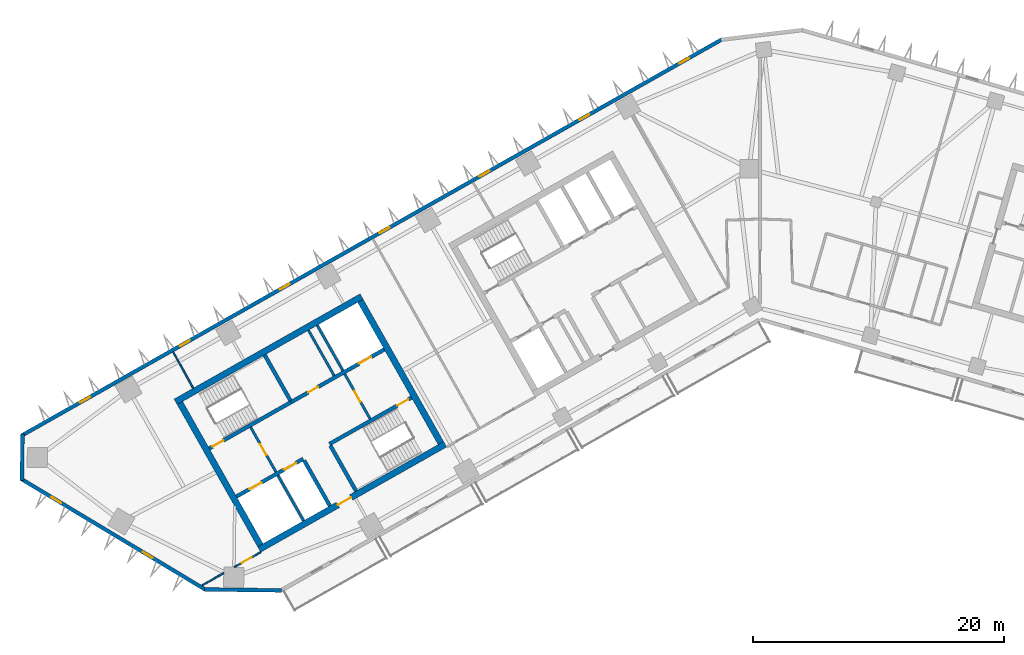
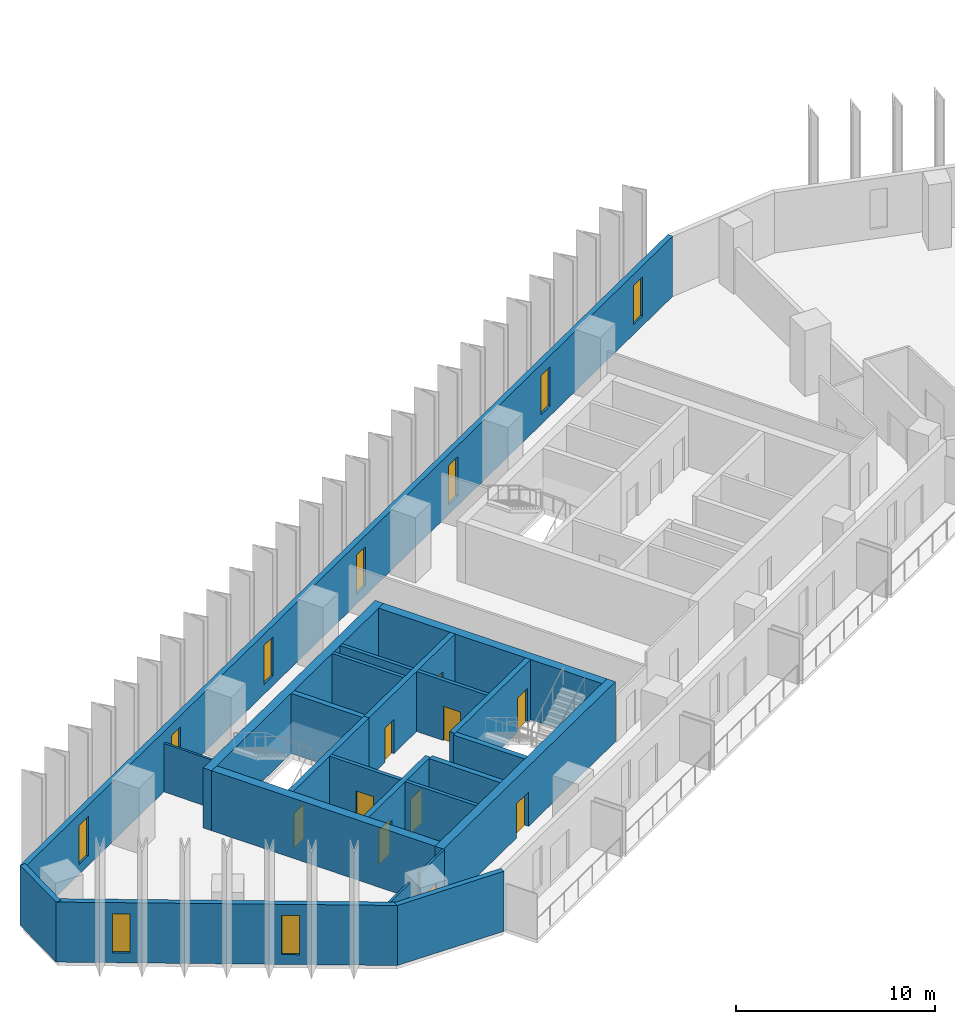
# One storey, part 3 of 10: 23 walls, 10 doors, 9 windows, 19 openings.
"""IFC4 building model written with IfcOpenShell, lengths in metres."""

import ifcopenshell
import ifcopenshell.guid

model = None  # the IFC model being written
_history = None  # IfcOwnerHistory: only IFC2X3 demands one
_inside = {}  # id of a spatial element -> (the spatial element, [elements in it])
_under = {}  # id of a project, library or spatial element -> (it, [spatial elements below it])
_declared = {}  # id of a project -> (the project, [libraries it declares])
_typed = {}  # id of a type object -> (the type object, [elements of that type])
_made_of = {}  # id of a material, layer set ... -> (it, [elements and type objects made of it])


def new_model(schema):
    """Start an empty IFC model of exactly this schema.

    Asked for "IFC4X3", IfcOpenShell would pick the latest addendum, in which some entities
    have other attributes; the version numbers below select the first issue.
    IFC2X3 requires an IfcOwnerHistory on every rooted entity: one is made here for all.
    """
    global model, _history
    if schema == "IFC4X3":
        model = ifcopenshell.file(schema_version=(4, 3, 0, 0))
    else:
        model = ifcopenshell.file(schema=schema)
    _inside.clear()
    _under.clear()
    _declared.clear()
    _typed.clear()
    _made_of.clear()
    _history = None
    if model.schema == "IFC2X3":
        org = make("IfcOrganization", Name="unknown")
        user = make(
            "IfcPersonAndOrganization",
            ThePerson=make("IfcPerson", FamilyName="unknown"),
            TheOrganization=org,
        )
        app = make(
            "IfcApplication",
            ApplicationDeveloper=org,
            Version="unknown",
            ApplicationFullName="unknown",
            ApplicationIdentifier="unknown",
        )
        _history = make(
            "IfcOwnerHistory",
            OwningUser=user,
            OwningApplication=app,
            ChangeAction="ADDED",
            CreationDate=0,
        )
    return model


def make(cls, **values):
    """One entity of the class cls with the attributes given. An attribute that is None is left unset."""
    return model.create_entity(
        cls, **{name: value for name, value in values.items() if value is not None}
    )


def rooted(cls, **values):
    """An entity with a GlobalId (a new one), such as an element, a storey or a relation."""
    return make(cls, GlobalId=ifcopenshell.guid.new(), OwnerHistory=_history, **values)


def si_unit(unit_type, name, prefix=None):
    """IfcSIUnit, for example si_unit("LENGTHUNIT", "METRE", prefix="MILLI")."""
    return make("IfcSIUnit", UnitType=unit_type, Prefix=prefix, Name=name)


def assignment(units):
    """IfcUnitAssignment: the units of a project."""
    return None if units is None else make("IfcUnitAssignment", Units=units)


def point(xyz):
    """IfcCartesianPoint."""
    return None if xyz is None else make("IfcCartesianPoint", Coordinates=xyz)


def direction(xyz):
    """IfcDirection."""
    return None if xyz is None else make("IfcDirection", DirectionRatios=xyz)


def frame(location, z_axis=None, x_axis=None):
    """IfcAxis2Placement3D, a coordinate frame: its origin and axes. An axis left out is left unset."""
    return make(
        "IfcAxis2Placement3D",
        Location=point(location),
        Axis=direction(z_axis),
        RefDirection=direction(x_axis),
    )


def frame_2d(location, x_axis=None):
    """IfcAxis2Placement2D, a coordinate frame in the plane: its origin and x axis."""
    return make(
        "IfcAxis2Placement2D", Location=point(location), RefDirection=direction(x_axis)
    )


def origin():
    """The frame at (0, 0, 0) with its axes left unset."""
    return frame((0.0, 0.0, 0.0))


def place(relative_to, where):
    """IfcLocalPlacement: puts the frame where relative to a parent placement (None: the world)."""
    return make(
        "IfcLocalPlacement", PlacementRelTo=relative_to, RelativePlacement=where
    )


def context(
    kind, dimensions, precision=None, world=None, true_north=None, identifier=None
):
    """IfcGeometricRepresentationContext, for example the 3D "Model" context."""
    return make(
        "IfcGeometricRepresentationContext",
        ContextIdentifier=identifier,
        ContextType=kind,
        CoordinateSpaceDimension=dimensions,
        Precision=precision,
        WorldCoordinateSystem=world,
        TrueNorth=true_north,
    )


def subcontext(parent, identifier, kind, view, scale=None):
    """IfcGeometricRepresentationSubContext, for example "Body" below "Model"."""
    return make(
        "IfcGeometricRepresentationSubContext",
        ContextIdentifier=identifier,
        ContextType=kind,
        ParentContext=parent,
        TargetScale=scale,
        TargetView=view,
    )


def project(units=None, contexts=None):
    """IfcProject with its units and contexts."""
    return rooted(
        "IfcProject",
        Name="project",
        RepresentationContexts=contexts,
        UnitsInContext=assignment(units),
    )


def spatial(cls, under=None, at=None, **own):
    """A site, building, storey or space (cls), placed at a placement, below another one or the project."""
    s = rooted(cls, ObjectPlacement=at, **own)
    if under is not None:
        _under.setdefault(under.id(), (under, []))[1].append(s)
    return s


def profile(cls, at=None, kind="AREA", **sizes):
    """A parametric profile (cls). Its sizes go by their IFC names, for example OverallWidth=200.0."""
    return make(cls, ProfileType=kind, Position=at, **sizes)


def rectangle(**sizes):
    """IfcRectangleProfileDef."""
    return profile("IfcRectangleProfileDef", **sizes)


def extrude(swept, where, along, depth):
    """IfcExtrudedAreaSolid: the profile swept, set in the frame where, extruded along a direction by depth."""
    return make(
        "IfcExtrudedAreaSolid",
        SweptArea=swept,
        Position=where,
        ExtrudedDirection=direction(along),
        Depth=depth,
    )


def shape(context_of_items, identifier, shape_type, items):
    """IfcShapeRepresentation: the items that make up one representation, for example the "Body"."""
    return make(
        "IfcShapeRepresentation",
        ContextOfItems=context_of_items,
        RepresentationIdentifier=identifier,
        RepresentationType=shape_type,
        Items=items,
    )


def material(Name=None, Category=None):
    """IfcMaterial."""
    return make("IfcMaterial", Name=Name, Category=Category)


def layer(
    of_material, thickness, ventilated=None, Name=None, Category=None, Priority=None
):
    """IfcMaterialLayer: one layer of a wall or slab, of a material (None: an air gap)."""
    return make(
        "IfcMaterialLayer",
        Material=of_material,
        LayerThickness=thickness,
        IsVentilated=ventilated,
        Name=Name,
        Category=Category,
        Priority=Priority,
    )


def layer_set(layers, Name=None):
    """IfcMaterialLayerSet."""
    return make("IfcMaterialLayerSet", MaterialLayers=layers, LayerSetName=Name)


def made_of(thing, what):
    """Note that an element or type object is made of a material, layer set ...; save() writes the relation."""
    if what is not None:
        _made_of.setdefault(what.id(), (what, []))[1].append(thing)
    return thing


def type_object(cls, material=None, **own):
    """A type object (cls), such as IfcWallType, which elements share."""
    return made_of(rooted(cls, **own), material)


def element(
    cls,
    number,
    at=None,
    inside=None,
    cuts=None,
    type_object=None,
    material=None,
    context=None,
    identifier="Body",
    shape_type=None,
    held_by="IfcProductDefinitionShape",
    body=None,
    shapes=None,
    **own,
):
    """One element of the class cls, such as IfcWall. Its Tag is "e" and its number.

    at: its placement. inside: the storey or other place that contains it. cuts: it is an
    opening in that element (IfcRelVoidsElement). A single representation is given by context,
    identifier, shape_type and body (its items); several are given by shapes. held_by: the class
    of the entity that holds the representations. save() writes the other relations.
    """
    e = rooted(cls, Tag="e%d" % number, ObjectPlacement=at, **own)
    if body is not None:
        shapes = [shape(context, identifier, shape_type, body)]
    if shapes is not None:
        e.Representation = make(held_by, Representations=shapes)
    if inside is not None:
        _inside.setdefault(inside.id(), (inside, []))[1].append(e)
    if cuts is not None:
        rooted(
            "IfcRelVoidsElement", RelatingBuildingElement=cuts, RelatedOpeningElement=e
        )
    if type_object is not None:
        _typed.setdefault(type_object.id(), (type_object, []))[1].append(e)
    return made_of(e, material)


def fill(opening, filler):
    """IfcRelFillsElement: the door or window that sits in an opening."""
    return rooted(
        "IfcRelFillsElement",
        RelatingOpeningElement=opening,
        RelatedBuildingElement=filler,
    )


def aggregate(whole, parts):
    """IfcRelAggregates: a whole, such as a stair, and the parts it consists of."""
    return rooted("IfcRelAggregates", RelatingObject=whole, RelatedObjects=parts)


def save(model, path):
    """Write the relations noted so far, then the file.

    IfcRelAggregates (storeys below a building ...), IfcRelContainedInSpatialStructure (elements
    in a storey), IfcRelDefinesByType, IfcRelAssociatesMaterial and IfcRelDeclares: one each for
    every whole, place, type object, material and project.
    """
    for whole, parts in _under.values():
        aggregate(whole, parts)
    for where, things in _inside.values():
        rooted(
            "IfcRelContainedInSpatialStructure",
            RelatedElements=things,
            RelatingStructure=where,
        )
    for kind, things in _typed.values():
        rooted("IfcRelDefinesByType", RelatedObjects=things, RelatingType=kind)
    for what, things in _made_of.values():
        rooted("IfcRelAssociatesMaterial", RelatedObjects=things, RelatingMaterial=what)
    for by, libraries in _declared.values():
        rooted("IfcRelDeclares", RelatingContext=by, RelatedDefinitions=libraries)
    model.write(path)


model = new_model("IFC4")

# Units and contexts
model_context = context("Model", 3, precision=1e-05, world=origin(), true_north=direction((0.0, 1.0)))
body_context = subcontext(model_context, "Body", "Model", "MODEL_VIEW")
ifc_project = project(units=[si_unit("LENGTHUNIT", "METRE"), si_unit("AREAUNIT", "SQUARE_METRE"), si_unit("VOLUMEUNIT", "CUBIC_METRE"), si_unit("PLANEANGLEUNIT", "RADIAN"), si_unit("MASSUNIT", "GRAM", prefix="KILO")], contexts=[model_context])

# Site, building, storey
site_placement = place(None, origin())
site = spatial("IfcSite", under=ifc_project, at=site_placement, CompositionType="ELEMENT")
building_placement = place(site_placement, origin())
building = spatial("IfcBuilding", under=site, at=building_placement, Name="Binnacle Exchange Tower", CompositionType="ELEMENT")
storey_placement = place(building_placement, frame((0.0, 0.0, 162.89990234375)))
storey = spatial("IfcBuildingStorey", under=building, at=storey_placement, Name="L34", CompositionType="ELEMENT", Elevation=162.89990234375)

# Wall, openings, doors
ifc_material_1 = material(Name="Concrete C70/85", Category="concrete")
ifc_layer_1 = layer(ifc_material_1, 0.300048828125)
ifc_layer_set_1 = layer_set([ifc_layer_1], Name="Core wall - front 300")
wall_type_1 = type_object("IfcWallType", Name="Core wall - front 300", PredefinedType="SOLIDWALL", material=ifc_layer_set_1)
wall_1_placement = place(storey_placement, frame((-41.64306640625, 33.91162109375, 0.0), z_axis=(0.0, 0.0, 1.0), x_axis=(0.870343599782, 0.492444939378, 0.0)))
wall_1 = element("IfcWall", 1, at=wall_1_placement, inside=storey, type_object=wall_type_1, Name="Core wall CRWA2", PredefinedType="SOLIDWALL", context=body_context, shape_type="SweptSolid", body=[
    extrude(rectangle(XDim=6.10009765625, YDim=0.300048828125, at=frame_2d((3.050048828125, 0.0))), origin(), (0.0, 0.0, 1.0), 3.68017578125),
])
opening_1_placement = place(wall_1_placement, frame((1.199951171875, 0.0, 0.0)))
opening_1 = element("IfcOpeningElement", 2, at=opening_1_placement, cuts=wall_1, Name="Opening LD12", PredefinedType="OPENING", context=body_context, shape_type="SweptSolid", body=[
    extrude(rectangle(XDim=1.10009765625, YDim=2.10009765625, at=frame_2d((0.550048828125, 1.050048828125))), frame((0.0, 0.159912109375, 0.0), z_axis=(0.0, -1.0, 0.0), x_axis=(1.0, 0.0, 0.0)), (0.0, 0.0, 1.0), 0.320068359375),
])
opening_2_placement = place(wall_1_placement, frame((4.35009765625, 0.0, 0.0)))
opening_2 = element("IfcOpeningElement", 3, at=opening_2_placement, cuts=wall_1, Name="Opening LD8", PredefinedType="OPENING", context=body_context, shape_type="SweptSolid", body=[
    extrude(rectangle(XDim=1.10009765625, YDim=2.10009765625, at=frame_2d((0.550048828125, 1.050048828125))), frame((0.0, 0.159912109375, 0.0), z_axis=(0.0, -1.0, 0.0), x_axis=(1.0, 0.0, 0.0)), (0.0, 0.0, 1.0), 0.320068359375),
])
ifc_material_2 = material(Name="Steel door leaf", Category="steel")
door_type_1 = type_object("IfcDoorType", Name="Fire door - lift landing 1100", OperationType="NOTDEFINED", PredefinedType="DOOR", material=ifc_material_2)
door_1_placement = place(opening_1_placement, origin())
door_1 = element("IfcDoor", 4, at=door_1_placement, inside=storey, type_object=door_type_1, Name="Landing door LD12 L34", OperationType="DOUBLE_DOOR_SLIDING", OverallHeight=2.10009765625, OverallWidth=1.10009765625, PredefinedType="DOOR", context=body_context, shape_type="SweptSolid", body=[
    extrude(rectangle(XDim=1.10009765625, YDim=2.10009765625, at=frame_2d((0.550048828125, 1.050048828125))), frame((0.0, 0.02490234375, 0.0), z_axis=(0.0, -1.0, 0.0), x_axis=(1.0, 0.0, 0.0)), (0.0, 0.0, 1.0), 0.050048828125),
])
fill(opening_1, door_1)
door_2_placement = place(opening_2_placement, origin())
door_2 = element("IfcDoor", 5, at=door_2_placement, inside=storey, type_object=door_type_1, Name="Landing door LD8 L34", OperationType="DOUBLE_DOOR_SLIDING", OverallHeight=2.10009765625, OverallWidth=1.10009765625, PredefinedType="DOOR", context=body_context, shape_type="SweptSolid", body=[
    extrude(rectangle(XDim=1.10009765625, YDim=2.10009765625, at=frame_2d((0.550048828125, 1.050048828125))), frame((0.0, 0.02490234375, 0.0), z_axis=(0.0, -1.0, 0.0), x_axis=(1.0, 0.0, 0.0)), (0.0, 0.0, 1.0), 0.050048828125),
])
fill(opening_2, door_2)

wall_2_placement = place(storey_placement, frame((-37.281982421875, 41.4345703125, 0.0), z_axis=(0.0, 0.0, 1.0), x_axis=(0.870356271124, 0.492422543467, 0.0)))
wall_2 = element("IfcWall", 6, at=wall_2_placement, inside=storey, type_object=wall_type_1, Name="Core wall CRWA5", PredefinedType="SOLIDWALL", context=body_context, shape_type="SweptSolid", body=[
    extrude(rectangle(XDim=8.5, YDim=0.300048828125, at=frame_2d((4.25, 0.0))), origin(), (0.0, 0.0, 1.0), 3.68017578125),
])
opening_3_placement = place(wall_2_placement, frame((6.199951171875, 0.0, 0.0)))
opening_3 = element("IfcOpeningElement", 7, at=opening_3_placement, cuts=wall_2, Name="Opening LD13", PredefinedType="OPENING", context=body_context, shape_type="SweptSolid", body=[
    extrude(rectangle(XDim=1.10009765625, YDim=2.10009765625, at=frame_2d((0.550048828125, 1.050048828125))), frame((0.0, 0.159912109375, 0.0), z_axis=(0.0, -1.0, 0.0), x_axis=(1.0, 0.0, 0.0)), (0.0, 0.0, 1.0), 0.320068359375),
])
opening_4_placement = place(wall_2_placement, frame((1.550048828125, 0.0, 0.0)))
opening_4 = element("IfcOpeningElement", 8, at=opening_4_placement, cuts=wall_2, Name="Opening DA10", PredefinedType="OPENING", context=body_context, shape_type="SweptSolid", body=[
    extrude(rectangle(XDim=0.89990234375, YDim=2.10009765625, at=frame_2d((0.449951171875, 1.050048828125))), frame((0.0, 0.159912109375, 0.0), z_axis=(0.0, -1.0, 0.0), x_axis=(1.0, 0.0, 0.0)), (0.0, 0.0, 1.0), 0.320068359375),
])
door_3_placement = place(opening_3_placement, origin())
door_3 = element("IfcDoor", 9, at=door_3_placement, inside=storey, type_object=door_type_1, Name="Landing door LD13 L34", OperationType="DOUBLE_DOOR_SLIDING", OverallHeight=2.10009765625, OverallWidth=1.10009765625, PredefinedType="DOOR", context=body_context, shape_type="SweptSolid", body=[
    extrude(rectangle(XDim=1.10009765625, YDim=2.10009765625, at=frame_2d((0.550048828125, 1.050048828125))), frame((0.0, 0.02490234375, 0.0), z_axis=(0.0, -1.0, 0.0), x_axis=(1.0, 0.0, 0.0)), (0.0, 0.0, 1.0), 0.050048828125),
])
fill(opening_3, door_3)
door_type_2 = type_object("IfcDoorType", Name="Fire door 900", OperationType="NOTDEFINED", PredefinedType="DOOR", material=ifc_material_2)
door_4_placement = place(opening_4_placement, origin())
door_4 = element("IfcDoor", 10, at=door_4_placement, inside=storey, type_object=door_type_2, Name="Core room door EQUIPMENT STORE", OperationType="SINGLE_SWING_LEFT", OverallHeight=2.10009765625, OverallWidth=0.89990234375, PredefinedType="DOOR", context=body_context, shape_type="SweptSolid", body=[
    extrude(rectangle(XDim=0.89990234375, YDim=2.10009765625, at=frame_2d((0.449951171875, 1.050048828125))), frame((0.0, 0.02490234375, 0.0), z_axis=(0.0, -1.0, 0.0), x_axis=(1.0, 0.0, 0.0)), (0.0, 0.0, 1.0), 0.050048828125),
])
fill(opening_4, door_4)

# Wall
wall_3_placement = place(storey_placement, frame((-36.260009765625, 36.784912109375, 0.0), z_axis=(0.0, 0.0, 1.0), x_axis=(0.492421666909, -0.870356767055, 0.0)))
element("IfcWall", 11, at=wall_3_placement, inside=storey, type_object=wall_type_1, Name="Core wall CRWA13", PredefinedType="SOLIDWALL", context=body_context, shape_type="SweptSolid", body=[
    extrude(rectangle(XDim=4.14990234375, YDim=0.300048828125, at=frame_2d((2.074951171875, 0.0))), origin(), (0.0, 0.0, 1.0), 3.68017578125),
])

# Wall, opening, door
ifc_layer_2 = layer(ifc_material_1, 0.5)
ifc_layer_set_2 = layer_set([ifc_layer_2], Name="Core wall - outer 500")
wall_type_2 = type_object("IfcWallType", Name="Core wall - outer 500", PredefinedType="SOLIDWALL", material=ifc_layer_set_2)
wall_4_placement = place(storey_placement, frame((-39.837646484375, 29.705322265625, 0.0), z_axis=(0.0, 0.0, 1.0), x_axis=(0.870350116061, 0.492433422375, 0.0)))
wall_4 = element("IfcWall", 12, at=wall_4_placement, inside=storey, type_object=wall_type_2, Name="Core wall CRWA1", PredefinedType="SOLIDWALL", context=body_context, shape_type="SweptSolid", body=[
    extrude(rectangle(XDim=17.0, YDim=0.5, at=frame_2d((8.5, 0.0))), origin(), (0.0, 0.0, 1.0), 3.68017578125),
])
opening_5_placement = place(wall_4_placement, frame((7.199951171875, 0.0, 0.0)))
opening_5 = element("IfcOpeningElement", 13, at=opening_5_placement, cuts=wall_4, Name="Opening DA7", PredefinedType="OPENING", context=body_context, shape_type="SweptSolid", body=[
    extrude(rectangle(XDim=1.199951171875, YDim=2.10009765625, at=frame_2d((0.60009765625, 1.050048828125))), frame((0.0, 0.260009765625, 0.0), z_axis=(0.0, -1.0, 0.0), x_axis=(1.0, 0.0, 0.0)), (0.0, 0.0, 1.0), 0.52001953125),
])
door_type_3 = type_object("IfcDoorType", Name="Fire door 1200", OperationType="NOTDEFINED", PredefinedType="DOOR", material=ifc_material_2)
door_5_placement = place(opening_5_placement, frame((1.199951171875, 0.0, 0.0), z_axis=(0.0, 0.0, 1.0), x_axis=(-1.0, 0.0, 0.0)))
door_5 = element("IfcDoor", 14, at=door_5_placement, inside=storey, type_object=door_type_3, Name="Lift lobby entrance door core A", OperationType="SINGLE_SWING_RIGHT", OverallHeight=2.10009765625, OverallWidth=1.199951171875, PredefinedType="DOOR", context=body_context, shape_type="SweptSolid", body=[
    extrude(rectangle(XDim=1.199951171875, YDim=2.10009765625, at=frame_2d((0.60009765625, 1.050048828125))), frame((0.0, 0.02490234375, 0.0), z_axis=(0.0, -1.0, 0.0), x_axis=(1.0, 0.0, 0.0)), (0.0, 0.0, 1.0), 0.050048828125),
])
fill(opening_5, door_5)

# Walls
wall_5_placement = place(storey_placement, frame((-46.485595703125, 41.455078125, 0.0), z_axis=(0.0, 0.0, 1.0), x_axis=(0.870353598469, 0.492427267353, 0.0)))
element("IfcWall", 15, at=wall_5_placement, inside=storey, type_object=wall_type_2, Name="Core wall CRWA6", PredefinedType="SOLIDWALL", context=body_context, shape_type="SweptSolid", body=[
    extrude(rectangle(XDim=17.000244140625, YDim=0.5, at=frame_2d((8.5, 0.0))), origin(), (0.0, 0.0, 1.0), 3.68017578125),
])
for number, where, z_axis, x_axis, name in (
    (16, (-46.144775390625, 41.360595703125, 0.0), (0.0, 0.0, 1.0), (0.492435316254, -0.870349044525, 0.0), "Core wall CRWA7"),
    (17, (-31.783935546875, 49.485595703125, 0.0), (0.0, 0.0, 1.0), (0.492435316254, -0.870349044525, 0.0), "Core wall CRWA22"),
):
    element("IfcWall", number, at=place(storey_placement, frame(where, z_axis=z_axis, x_axis=x_axis)), inside=storey, type_object=wall_type_2, Name=name, PredefinedType="SOLIDWALL", context=body_context, shape_type="SweptSolid", body=[
        extrude(rectangle(XDim=13.0, YDim=0.5, at=frame_2d((6.5, 0.0))), origin(), (0.0, 0.0, 1.0), 3.68017578125),
    ])

# Wall, opening, door
ifc_layer_3 = layer(ifc_material_1, 0.300048828125)
ifc_layer_set_3 = layer_set([ifc_layer_3], Name="Core wall - stair 300")
wall_type_3 = type_object("IfcWallType", Name="Core wall - stair 300", PredefinedType="SOLIDWALL", material=ifc_layer_set_3)
wall_6_placement = place(storey_placement, frame((-34.2451171875, 38.097412109375, 0.0), z_axis=(0.0, 0.0, 1.0), x_axis=(0.870364520461, 0.492407962489, 0.0)))
wall_6 = element("IfcWall", 18, at=wall_6_placement, inside=storey, type_object=wall_type_3, Name="Core wall CRWA3", PredefinedType="SOLIDWALL", context=body_context, shape_type="SweptSolid", body=[
    extrude(rectangle(XDim=7.5, YDim=0.300048828125, at=frame_2d((3.75, 0.0))), origin(), (0.0, 0.0, 1.0), 3.68017578125),
])
opening_6_placement = place(wall_6_placement, frame((6.199951171875, 0.0, 0.0)))
opening_6 = element("IfcOpeningElement", 19, at=opening_6_placement, cuts=wall_6, Name="Opening DA2", PredefinedType="OPENING", context=body_context, shape_type="SweptSolid", body=[
    extrude(rectangle(XDim=1.0, YDim=2.10009765625, at=frame_2d((0.5, 1.050048828125))), frame((0.0, 0.159912109375, 0.0), z_axis=(0.0, -1.0, 0.0), x_axis=(1.0, 0.0, 0.0)), (0.0, 0.0, 1.0), 0.320068359375),
])
door_type_4 = type_object("IfcDoorType", Name="Fire door 1000", OperationType="NOTDEFINED", PredefinedType="DOOR", material=ifc_material_2)
door_6_placement = place(opening_6_placement, frame((1.0, 0.0, 0.0), z_axis=(0.0, 0.0, 1.0), x_axis=(-1.0, 0.0, 0.0)))
door_6 = element("IfcDoor", 20, at=door_6_placement, inside=storey, type_object=door_type_4, Name="Stair door ST-A2", OperationType="SINGLE_SWING_LEFT", OverallHeight=2.10009765625, OverallWidth=1.0, PredefinedType="DOOR", context=body_context, shape_type="SweptSolid", body=[
    extrude(rectangle(XDim=1.0, YDim=2.10009765625, at=frame_2d((0.5, 1.050048828125))), frame((0.0, 0.02490234375, 0.0), z_axis=(0.0, -1.0, 0.0), x_axis=(1.0, 0.0, 0.0)), (0.0, 0.0, 1.0), 0.050048828125),
])
fill(opening_6, door_6)

wall_7_placement = place(storey_placement, frame((-43.809814453125, 37.7412109375, 0.0), z_axis=(0.0, 0.0, 1.0), x_axis=(0.870350569555, 0.492432620848, 0.0)))
wall_7 = element("IfcWall", 21, at=wall_7_placement, inside=storey, type_object=wall_type_3, Name="Core wall CRWA4", PredefinedType="SOLIDWALL", context=body_context, shape_type="SweptSolid", body=[
    extrude(rectangle(XDim=7.500244140625, YDim=0.300048828125, at=frame_2d((3.75, 0.0))), origin(), (0.0, 0.0, 1.0), 3.68017578125),
])
opening_7_placement = place(wall_7_placement, frame((0.2998046875, 0.0, 0.0)))
opening_7 = element("IfcOpeningElement", 22, at=opening_7_placement, cuts=wall_7, Name="Opening DA1", PredefinedType="OPENING", context=body_context, shape_type="SweptSolid", body=[
    extrude(rectangle(XDim=1.0, YDim=2.10009765625, at=frame_2d((0.5, 1.050048828125))), frame((0.0, 0.159912109375, 0.0), z_axis=(0.0, -1.0, 0.0), x_axis=(1.0, 0.0, 0.0)), (0.0, 0.0, 1.0), 0.320068359375),
])
door_7_placement = place(opening_7_placement, origin())
door_7 = element("IfcDoor", 23, at=door_7_placement, inside=storey, type_object=door_type_4, Name="Stair door ST-A1", OperationType="SINGLE_SWING_LEFT", OverallHeight=2.10009765625, OverallWidth=1.0, PredefinedType="DOOR", context=body_context, shape_type="SweptSolid", body=[
    extrude(rectangle(XDim=1.0, YDim=2.10009765625, at=frame_2d((0.5, 1.050048828125))), frame((0.0, 0.02490234375, 0.0), z_axis=(0.0, -1.0, 0.0), x_axis=(1.0, 0.0, 0.0)), (0.0, 0.0, 1.0), 0.050048828125),
])
fill(opening_7, door_7)

# Walls
for number, where, z_axis, x_axis, name in (
    (24, (-39.3994140625, 45.177001953125, 0.0), (0.0, 0.0, 1.0), (0.492396453737, -0.870371031427, 0.0), "Core wall CRWA14"),
    (25, (-34.171142578125, 37.966796875, 0.0), (0.0, 0.0, 1.0), (0.492396453737, -0.870371031427, 0.0), "Core wall CRWA16"),
):
    element("IfcWall", number, at=place(storey_placement, frame(where, z_axis=z_axis, x_axis=x_axis)), inside=storey, type_object=wall_type_3, Name=name, PredefinedType="SOLIDWALL", context=body_context, shape_type="SweptSolid", body=[
        extrude(rectangle(XDim=4.14990234375, YDim=0.300048828125, at=frame_2d((2.074951171875, 0.0))), origin(), (0.0, 0.0, 1.0), 3.68017578125),
    ])
ifc_material_3 = material(Name="Bronze aluminium cladding", Category="aluminium")
ifc_layer_4 = layer(ifc_material_3, 0.300048828125)
ifc_layer_set_4 = layer_set([ifc_layer_4], Name="External wall - spandrel 300")
wall_type_4 = type_object("IfcWallType", Name="External wall - spandrel 300", PredefinedType="STANDARD", material=ifc_layer_set_4)
wall_8_placement = place(storey_placement, frame((-38.057373046875, 26.44482421875, 0.0), z_axis=(0.0, 0.0, 1.0), x_axis=(-0.999914086342, 0.013108010296, 0.0)))
element("IfcWall", 26, at=wall_8_placement, inside=storey, type_object=wall_type_4, Name="External wall EW-G00 L34", PredefinedType="STANDARD", context=body_context, shape_type="SweptSolid", body=[
    extrude(rectangle(XDim=6.127685546875, YDim=0.300048828125, at=frame_2d((3.06396484375, 0.0))), origin(), (0.0, 0.0, 1.0), 3.68017578125),
])

# Wall, openings, windows
wall_9_placement = place(storey_placement, frame((-58.744873046875, 38.763671875, 0.0), z_axis=(0.0, 0.0, 1.0), x_axis=(0.870355811726, 0.492423355453, 0.0)))
wall_9 = element("IfcWall", 27, at=wall_9_placement, inside=storey, type_object=wall_type_4, Name="External wall EW-G08 L34", PredefinedType="STANDARD", context=body_context, shape_type="SweptSolid", body=[
    extrude(rectangle(XDim=64.025390625, YDim=0.300048828125, at=frame_2d((32.0126953125, 0.0))), origin(), (0.0, 0.0, 1.0), 3.68017578125),
])
opening_8_placement = place(wall_9_placement, frame((60.12158203125, 0.0, 0.60009765625)))
opening_8 = element("IfcOpeningElement", 28, at=opening_8_placement, cuts=wall_9, Name="Opening WS3", PredefinedType="OPENING", context=body_context, shape_type="SweptSolid", body=[
    extrude(rectangle(XDim=0.89990234375, YDim=2.39990234375, at=frame_2d((0.449951171875, 1.199951171875))), frame((0.0, 0.159912109375, 0.0), z_axis=(0.0, -1.0, 0.0), x_axis=(1.0, 0.0, 0.0)), (0.0, 0.0, 1.0), 0.320068359375),
])
opening_9_placement = place(wall_9_placement, frame((50.99169921875, 0.0, 0.60009765625)))
opening_9 = element("IfcOpeningElement", 29, at=opening_9_placement, cuts=wall_9, Name="Opening WS3", PredefinedType="OPENING", context=body_context, shape_type="SweptSolid", body=[
    extrude(rectangle(XDim=0.89990234375, YDim=2.39990234375, at=frame_2d((0.449951171875, 1.199951171875))), frame((0.0, 0.159912109375, 0.0), z_axis=(0.0, -1.0, 0.0), x_axis=(1.0, 0.0, 0.0)), (0.0, 0.0, 1.0), 0.320068359375),
])
opening_10_placement = place(wall_9_placement, frame((41.86181640625, 0.0, 0.60009765625)))
opening_10 = element("IfcOpeningElement", 30, at=opening_10_placement, cuts=wall_9, Name="Opening WS3", PredefinedType="OPENING", context=body_context, shape_type="SweptSolid", body=[
    extrude(rectangle(XDim=0.89990234375, YDim=2.39990234375, at=frame_2d((0.449951171875, 1.199951171875))), frame((0.0, 0.159912109375, 0.0), z_axis=(0.0, -1.0, 0.0), x_axis=(1.0, 0.0, 0.0)), (0.0, 0.0, 1.0), 0.320068359375),
])
opening_11_placement = place(wall_9_placement, frame((32.73193359375, 0.0, 0.60009765625)))
opening_11 = element("IfcOpeningElement", 31, at=opening_11_placement, cuts=wall_9, Name="Opening WS3", PredefinedType="OPENING", context=body_context, shape_type="SweptSolid", body=[
    extrude(rectangle(XDim=0.89990234375, YDim=2.39990234375, at=frame_2d((0.449951171875, 1.199951171875))), frame((0.0, 0.159912109375, 0.0), z_axis=(0.0, -1.0, 0.0), x_axis=(1.0, 0.0, 0.0)), (0.0, 0.0, 1.0), 0.320068359375),
])
opening_12_placement = place(wall_9_placement, frame((23.60205078125, 0.0, 0.60009765625)))
opening_12 = element("IfcOpeningElement", 32, at=opening_12_placement, cuts=wall_9, Name="Opening WS3", PredefinedType="OPENING", context=body_context, shape_type="SweptSolid", body=[
    extrude(rectangle(XDim=0.89990234375, YDim=2.39990234375, at=frame_2d((0.449951171875, 1.199951171875))), frame((0.0, 0.159912109375, 0.0), z_axis=(0.0, -1.0, 0.0), x_axis=(1.0, 0.0, 0.0)), (0.0, 0.0, 1.0), 0.320068359375),
])
opening_13_placement = place(wall_9_placement, frame((14.47216796875, 0.0, 0.60009765625)))
opening_13 = element("IfcOpeningElement", 33, at=opening_13_placement, cuts=wall_9, Name="Opening WS3", PredefinedType="OPENING", context=body_context, shape_type="SweptSolid", body=[
    extrude(rectangle(XDim=0.89990234375, YDim=2.39990234375, at=frame_2d((0.449951171875, 1.199951171875))), frame((0.0, 0.159912109375, 0.0), z_axis=(0.0, -1.0, 0.0), x_axis=(1.0, 0.0, 0.0)), (0.0, 0.0, 1.0), 0.320068359375),
])
opening_14_placement = place(wall_9_placement, frame((5.34228515625, 0.0, 0.60009765625)))
opening_14 = element("IfcOpeningElement", 34, at=opening_14_placement, cuts=wall_9, Name="Opening WS3", PredefinedType="OPENING", context=body_context, shape_type="SweptSolid", body=[
    extrude(rectangle(XDim=0.89990234375, YDim=2.39990234375, at=frame_2d((0.449951171875, 1.199951171875))), frame((0.0, 0.159912109375, 0.0), z_axis=(0.0, -1.0, 0.0), x_axis=(1.0, 0.0, 0.0)), (0.0, 0.0, 1.0), 0.320068359375),
])
ifc_material_4 = material(Name="Bronze anodised aluminium frame", Category="aluminium")
window_type = type_object("IfcWindowType", Name="WS3 WINDOW 900x2400", PartitioningType="SINGLE_PANEL", PredefinedType="WINDOW", material=ifc_material_4)
window_1_placement = place(opening_8_placement, origin())
window_1 = element("IfcWindow", 35, at=window_1_placement, inside=storey, type_object=window_type, Name="Window WS3 L34", OverallHeight=2.39990234375, OverallWidth=0.89990234375, PartitioningType="SINGLE_PANEL", PredefinedType="WINDOW", context=body_context, shape_type="SweptSolid", body=[
    extrude(rectangle(XDim=0.89990234375, YDim=2.39990234375, at=frame_2d((0.449951171875, 1.199951171875))), frame((0.0, 0.030029296875, 0.0), z_axis=(0.0, -1.0, 0.0), x_axis=(1.0, 0.0, 0.0)), (0.0, 0.0, 1.0), 0.06005859375),
])
fill(opening_8, window_1)
window_2_placement = place(opening_9_placement, origin())
window_2 = element("IfcWindow", 36, at=window_2_placement, inside=storey, type_object=window_type, Name="Window WS3 L34", OverallHeight=2.39990234375, OverallWidth=0.89990234375, PartitioningType="SINGLE_PANEL", PredefinedType="WINDOW", context=body_context, shape_type="SweptSolid", body=[
    extrude(rectangle(XDim=0.89990234375, YDim=2.39990234375, at=frame_2d((0.449951171875, 1.199951171875))), frame((0.0, 0.030029296875, 0.0), z_axis=(0.0, -1.0, 0.0), x_axis=(1.0, 0.0, 0.0)), (0.0, 0.0, 1.0), 0.06005859375),
])
fill(opening_9, window_2)
window_3_placement = place(opening_10_placement, origin())
window_3 = element("IfcWindow", 37, at=window_3_placement, inside=storey, type_object=window_type, Name="Window WS3 L34", OverallHeight=2.39990234375, OverallWidth=0.89990234375, PartitioningType="SINGLE_PANEL", PredefinedType="WINDOW", context=body_context, shape_type="SweptSolid", body=[
    extrude(rectangle(XDim=0.89990234375, YDim=2.39990234375, at=frame_2d((0.449951171875, 1.199951171875))), frame((0.0, 0.030029296875, 0.0), z_axis=(0.0, -1.0, 0.0), x_axis=(1.0, 0.0, 0.0)), (0.0, 0.0, 1.0), 0.06005859375),
])
fill(opening_10, window_3)
window_4_placement = place(opening_11_placement, origin())
window_4 = element("IfcWindow", 38, at=window_4_placement, inside=storey, type_object=window_type, Name="Window WS3 L34", OverallHeight=2.39990234375, OverallWidth=0.89990234375, PartitioningType="SINGLE_PANEL", PredefinedType="WINDOW", context=body_context, shape_type="SweptSolid", body=[
    extrude(rectangle(XDim=0.89990234375, YDim=2.39990234375, at=frame_2d((0.449951171875, 1.199951171875))), frame((0.0, 0.030029296875, 0.0), z_axis=(0.0, -1.0, 0.0), x_axis=(1.0, 0.0, 0.0)), (0.0, 0.0, 1.0), 0.06005859375),
])
fill(opening_11, window_4)
window_5_placement = place(opening_12_placement, origin())
window_5 = element("IfcWindow", 39, at=window_5_placement, inside=storey, type_object=window_type, Name="Window WS3 L34", OverallHeight=2.39990234375, OverallWidth=0.89990234375, PartitioningType="SINGLE_PANEL", PredefinedType="WINDOW", context=body_context, shape_type="SweptSolid", body=[
    extrude(rectangle(XDim=0.89990234375, YDim=2.39990234375, at=frame_2d((0.449951171875, 1.199951171875))), frame((0.0, 0.030029296875, 0.0), z_axis=(0.0, -1.0, 0.0), x_axis=(1.0, 0.0, 0.0)), (0.0, 0.0, 1.0), 0.06005859375),
])
fill(opening_12, window_5)
window_6_placement = place(opening_13_placement, origin())
window_6 = element("IfcWindow", 40, at=window_6_placement, inside=storey, type_object=window_type, Name="Window WS3 L34", OverallHeight=2.39990234375, OverallWidth=0.89990234375, PartitioningType="SINGLE_PANEL", PredefinedType="WINDOW", context=body_context, shape_type="SweptSolid", body=[
    extrude(rectangle(XDim=0.89990234375, YDim=2.39990234375, at=frame_2d((0.449951171875, 1.199951171875))), frame((0.0, 0.030029296875, 0.0), z_axis=(0.0, -1.0, 0.0), x_axis=(1.0, 0.0, 0.0)), (0.0, 0.0, 1.0), 0.06005859375),
])
fill(opening_13, window_6)
window_7_placement = place(opening_14_placement, origin())
window_7 = element("IfcWindow", 41, at=window_7_placement, inside=storey, type_object=window_type, Name="Window WS3 L34", OverallHeight=2.39990234375, OverallWidth=0.89990234375, PartitioningType="SINGLE_PANEL", PredefinedType="WINDOW", context=body_context, shape_type="SweptSolid", body=[
    extrude(rectangle(XDim=0.89990234375, YDim=2.39990234375, at=frame_2d((0.449951171875, 1.199951171875))), frame((0.0, 0.030029296875, 0.0), z_axis=(0.0, -1.0, 0.0), x_axis=(1.0, 0.0, 0.0)), (0.0, 0.0, 1.0), 0.06005859375),
])
fill(opening_14, window_7)

# Wall
wall_10_placement = place(storey_placement, frame((-58.717041015625, 35.19384765625, 0.0), z_axis=(0.0, 0.0, 1.0), x_axis=(0.013069053407, 0.999914596275, 0.0)))
element("IfcWall", 42, at=wall_10_placement, inside=storey, type_object=wall_type_4, Name="External wall EW-G09 L34", PredefinedType="STANDARD", context=body_context, shape_type="SweptSolid", body=[
    extrude(rectangle(XDim=3.69873046875, YDim=0.300048828125, at=frame_2d((1.849365234375, 0.0))), origin(), (0.0, 0.0, 1.0), 3.68017578125),
])

# Wall, openings, windows
wall_11_placement = place(storey_placement, frame((-44.109375, 26.503662109375, 0.0), z_axis=(0.0, 0.0, 1.0), x_axis=(-0.857169502585, 0.515034410344, 0.0)))
wall_11 = element("IfcWall", 43, at=wall_11_placement, inside=storey, type_object=wall_type_4, Name="External wall EW-G10 L34", PredefinedType="STANDARD", context=body_context, shape_type="SweptSolid", body=[
    extrude(rectangle(XDim=17.126708984375, YDim=0.300048828125, at=frame_2d((8.5634765625, 0.0))), origin(), (0.0, 0.0, 1.0), 3.68017578125),
])
opening_15_placement = place(wall_11_placement, frame((13.403076171875, 0.0, 0.60009765625)))
opening_15 = element("IfcOpeningElement", 44, at=opening_15_placement, cuts=wall_11, Name="Opening WS3", PredefinedType="OPENING", context=body_context, shape_type="SweptSolid", body=[
    extrude(rectangle(XDim=0.89990234375, YDim=2.39990234375, at=frame_2d((0.449951171875, 1.199951171875))), frame((0.0, 0.159912109375, 0.0), z_axis=(0.0, -1.0, 0.0), x_axis=(1.0, 0.0, 0.0)), (0.0, 0.0, 1.0), 0.320068359375),
])
opening_16_placement = place(wall_11_placement, frame((4.903076171875, 0.0, 0.60009765625)))
opening_16 = element("IfcOpeningElement", 45, at=opening_16_placement, cuts=wall_11, Name="Opening WS3", PredefinedType="OPENING", context=body_context, shape_type="SweptSolid", body=[
    extrude(rectangle(XDim=0.89990234375, YDim=2.39990234375, at=frame_2d((0.449951171875, 1.199951171875))), frame((0.0, 0.159912109375, 0.0), z_axis=(0.0, -1.0, 0.0), x_axis=(1.0, 0.0, 0.0)), (0.0, 0.0, 1.0), 0.320068359375),
])
window_8_placement = place(opening_15_placement, origin())
window_8 = element("IfcWindow", 46, at=window_8_placement, inside=storey, type_object=window_type, Name="Window WS3 L34", OverallHeight=2.39990234375, OverallWidth=0.89990234375, PartitioningType="SINGLE_PANEL", PredefinedType="WINDOW", context=body_context, shape_type="SweptSolid", body=[
    extrude(rectangle(XDim=0.89990234375, YDim=2.39990234375, at=frame_2d((0.449951171875, 1.199951171875))), frame((0.0, 0.030029296875, 0.0), z_axis=(0.0, -1.0, 0.0), x_axis=(1.0, 0.0, 0.0)), (0.0, 0.0, 1.0), 0.06005859375),
])
fill(opening_15, window_8)
window_9_placement = place(opening_16_placement, origin())
window_9 = element("IfcWindow", 47, at=window_9_placement, inside=storey, type_object=window_type, Name="Window WS3 L34", OverallHeight=2.39990234375, OverallWidth=0.89990234375, PartitioningType="SINGLE_PANEL", PredefinedType="WINDOW", context=body_context, shape_type="SweptSolid", body=[
    extrude(rectangle(XDim=0.89990234375, YDim=2.39990234375, at=frame_2d((0.449951171875, 1.199951171875))), frame((0.0, 0.030029296875, 0.0), z_axis=(0.0, -1.0, 0.0), x_axis=(1.0, 0.0, 0.0)), (0.0, 0.0, 1.0), 0.06005859375),
])
fill(opening_16, window_9)

# Wall, opening, door
ifc_material_5 = material(Name="Masonry block wall", Category="masonry")
ifc_layer_5 = layer(ifc_material_5, 0.199951171875)
ifc_layer_set_5 = layer_set([ifc_layer_5], Name="Fire wall - vestibule 200")
wall_type_5 = type_object("IfcWallType", Name="Fire wall - vestibule 200", PredefinedType="PARTITIONING", material=ifc_layer_set_5)
wall_12_placement = place(storey_placement, frame((-40.515625, 39.4326171875, 0.0), z_axis=(0.0, 0.0, 1.0), x_axis=(0.492453559952, -0.87033872216, 0.0)))
wall_12 = element("IfcWall", 48, at=wall_12_placement, inside=storey, type_object=wall_type_5, Name="Core wall CRWA10", PredefinedType="PARTITIONING", context=body_context, shape_type="SweptSolid", body=[
    extrude(rectangle(XDim=4.099853515625, YDim=0.199951171875, at=frame_2d((2.0498046875, 0.0))), origin(), (0.0, 0.0, 1.0), 3.68017578125),
])
opening_17_placement = place(wall_12_placement, frame((1.550048828125, 0.0, 0.0)))
opening_17 = element("IfcOpeningElement", 49, at=opening_17_placement, cuts=wall_12, Name="Opening DA3", PredefinedType="OPENING", context=body_context, shape_type="SweptSolid", body=[
    extrude(rectangle(XDim=1.0, YDim=2.10009765625, at=frame_2d((0.5, 1.050048828125))), frame((0.0, 0.10986328125, 0.0), z_axis=(0.0, -1.0, 0.0), x_axis=(1.0, 0.0, 0.0)), (0.0, 0.0, 1.0), 0.219970703125),
])
door_8_placement = place(opening_17_placement, frame((1.0, 0.0, 0.0), z_axis=(0.0, 0.0, 1.0), x_axis=(-1.0, 0.0, 0.0)))
door_8 = element("IfcDoor", 50, at=door_8_placement, inside=storey, type_object=door_type_4, Name="Vestibule door VEST-W", OperationType="SINGLE_SWING_LEFT", OverallHeight=2.10009765625, OverallWidth=1.0, PredefinedType="DOOR", context=body_context, shape_type="SweptSolid", body=[
    extrude(rectangle(XDim=1.0, YDim=2.10009765625, at=frame_2d((0.5, 1.050048828125))), frame((0.0, 0.02490234375, 0.0), z_axis=(0.0, -1.0, 0.0), x_axis=(1.0, 0.0, 0.0)), (0.0, 0.0, 1.0), 0.050048828125),
])
fill(opening_17, door_8)

wall_13_placement = place(storey_placement, frame((-33.030517578125, 43.66748046875, 0.0), z_axis=(0.0, 0.0, 1.0), x_axis=(0.492408451753, -0.87036424366, 0.0)))
wall_13 = element("IfcWall", 51, at=wall_13_placement, inside=storey, type_object=wall_type_5, Name="Core wall CRWA19", PredefinedType="PARTITIONING", context=body_context, shape_type="SweptSolid", body=[
    extrude(rectangle(XDim=4.099853515625, YDim=0.199951171875, at=frame_2d((2.0498046875, 0.0))), origin(), (0.0, 0.0, 1.0), 3.68017578125),
])
opening_18_placement = place(wall_13_placement, frame((1.550048828125, 0.0, 0.0)))
opening_18 = element("IfcOpeningElement", 52, at=opening_18_placement, cuts=wall_13, Name="Opening DA4", PredefinedType="OPENING", context=body_context, shape_type="SweptSolid", body=[
    extrude(rectangle(XDim=1.0, YDim=2.10009765625, at=frame_2d((0.5, 1.050048828125))), frame((0.0, 0.10986328125, 0.0), z_axis=(0.0, -1.0, 0.0), x_axis=(1.0, 0.0, 0.0)), (0.0, 0.0, 1.0), 0.219970703125),
])
door_9_placement = place(opening_18_placement, origin())
door_9 = element("IfcDoor", 53, at=door_9_placement, inside=storey, type_object=door_type_4, Name="Vestibule door VEST-E", OperationType="SINGLE_SWING_RIGHT", OverallHeight=2.10009765625, OverallWidth=1.0, PredefinedType="DOOR", context=body_context, shape_type="SweptSolid", body=[
    extrude(rectangle(XDim=1.0, YDim=2.10009765625, at=frame_2d((0.5, 1.050048828125))), frame((0.0, 0.02490234375, 0.0), z_axis=(0.0, -1.0, 0.0), x_axis=(1.0, 0.0, 0.0)), (0.0, 0.0, 1.0), 0.050048828125),
])
fill(opening_18, door_9)

# Walls
ifc_material_6 = material(Name="Gypsum partition")
ifc_layer_6 = layer(ifc_material_6, 0.125)
ifc_layer_set_6 = layer_set([ifc_layer_6], Name="Partition 125")
wall_type_6 = type_object("IfcWallType", Name="Partition 125", PredefinedType="PARTITIONING", material=ifc_layer_set_6)
wall_14_placement = place(storey_placement, frame((-46.677978515625, 45.4189453125, 0.0), z_axis=(0.0, 0.0, 1.0), x_axis=(0.483275206546, -0.875468488718, 0.0)))
element("IfcWall", 54, at=wall_14_placement, inside=storey, type_object=wall_type_6, Name="Partition W01", PredefinedType="PARTITIONING", context=body_context, shape_type="SweptSolid", body=[
    extrude(rectangle(XDim=3.294189453125, YDim=0.125, at=frame_2d((1.64697265625, 0.0))), origin(), (0.0, 0.0, 1.0), 2.960205078125),
])
wall_15_placement = place(storey_placement, frame((-44.385986328125, 26.844970703125, 0.0), z_axis=(0.0, 0.0, 1.0), x_axis=(0.870453184796, 0.492251209322, 0.0)))
element("IfcWall", 55, at=wall_15_placement, inside=storey, type_object=wall_type_6, Name="Partition W02", PredefinedType="PARTITIONING", context=body_context, shape_type="SweptSolid", body=[
    extrude(rectangle(XDim=1.99072265625, YDim=0.125, at=frame_2d((0.995361328125, 0.0))), origin(), (0.0, 0.0, 1.0), 3.68017578125),
])

# Wall, opening, door
wall_16_placement = place(storey_placement, frame((-41.823974609375, 28.2939453125, 0.0), z_axis=(0.0, 0.0, 1.0), x_axis=(0.870189216305, 0.492717695873, 0.0)))
wall_16 = element("IfcWall", 56, at=wall_16_placement, inside=storey, type_object=wall_type_6, Name="Partition W03", PredefinedType="PARTITIONING", context=body_context, shape_type="SweptSolid", body=[
    extrude(rectangle(XDim=2.423583984375, YDim=0.125, at=frame_2d((1.2119140625, 0.0))), origin(), (0.0, 0.0, 1.0), 3.68017578125),
])
opening_19_placement = place(wall_16_placement, frame((0.699951171875, 0.0, 0.0)))
opening_19 = element("IfcOpeningElement", 57, at=opening_19_placement, cuts=wall_16, Name="Opening DL32-01", PredefinedType="OPENING", context=body_context, shape_type="SweptSolid", body=[
    extrude(rectangle(XDim=0.89990234375, YDim=2.10009765625, at=frame_2d((0.449951171875, 1.050048828125))), frame((0.0, 0.072509765625, 0.0), z_axis=(0.0, -1.0, 0.0), x_axis=(1.0, 0.0, 0.0)), (0.0, 0.0, 1.0), 0.14501953125),
])
ifc_material_7 = material(Name="Timber door leaf", Category="wood")
door_type_5 = type_object("IfcDoorType", Name="Door 900", OperationType="NOTDEFINED", PredefinedType="DOOR", material=ifc_material_7)
door_10_placement = place(opening_19_placement, origin())
door_10 = element("IfcDoor", 58, at=door_10_placement, inside=storey, type_object=door_type_5, Name="Door DL32-01", OperationType="SINGLE_SWING_LEFT", OverallHeight=2.10009765625, OverallWidth=0.89990234375, PredefinedType="DOOR", context=body_context, shape_type="SweptSolid", body=[
    extrude(rectangle(XDim=0.89990234375, YDim=2.10009765625, at=frame_2d((0.449951171875, 1.050048828125))), frame((0.0, 0.02490234375, 0.0), z_axis=(0.0, -1.0, 0.0), x_axis=(1.0, 0.0, 0.0)), (0.0, 0.0, 1.0), 0.050048828125),
])
fill(opening_19, door_10)

# Walls
ifc_layer_7 = layer(ifc_material_5, 0.199951171875)
ifc_layer_set_7 = layer_set([ifc_layer_7], Name="Riser wall 200")
wall_type_7 = type_object("IfcWallType", Name="Riser wall 200", PredefinedType="SOLIDWALL", material=ifc_layer_set_7)
wall_17_placement = place(storey_placement, frame((-35.918212890625, 47.146728515625, 0.0), z_axis=(0.0, 0.0, 1.0), x_axis=(0.492441017253, -0.870345818929, 0.0)))
element("IfcWall", 59, at=wall_17_placement, inside=storey, type_object=wall_type_7, Name="Core wall CRWA18", PredefinedType="SOLIDWALL", context=body_context, shape_type="SweptSolid", body=[
    extrude(rectangle(XDim=4.150146484375, YDim=0.199951171875, at=frame_2d((2.0751953125, 0.0))), origin(), (0.0, 0.0, 1.0), 3.68017578125),
])
wall_18_placement = place(storey_placement, frame((-35.2216796875, 47.54052734375, 0.0), z_axis=(0.0, 0.0, 1.0), x_axis=(0.492421666909, -0.870356767055, 0.0)))
element("IfcWall", 60, at=wall_18_placement, inside=storey, type_object=wall_type_7, Name="Core wall CRWA20", PredefinedType="SOLIDWALL", context=body_context, shape_type="SweptSolid", body=[
    extrude(rectangle(XDim=4.14990234375, YDim=0.199951171875, at=frame_2d((2.074951171875, 0.0))), origin(), (0.0, 0.0, 1.0), 3.68017578125),
])
ifc_layer_8 = layer(ifc_material_5, 0.199951171875)
ifc_layer_set_8 = layer_set([ifc_layer_8], Name="Shaft wall 200")
wall_type_8 = type_object("IfcWallType", Name="Shaft wall 200", PredefinedType="SOLIDWALL", material=ifc_layer_set_8)
wall_19_placement = place(storey_placement, frame((-38.348876953125, 35.603271484375, 0.0), z_axis=(0.0, 0.0, 1.0), x_axis=(0.492396453737, -0.870371031427, 0.0)))
element("IfcWall", 61, at=wall_19_placement, inside=storey, type_object=wall_type_8, Name="Core wall CRWA9", PredefinedType="SOLIDWALL", context=body_context, shape_type="SweptSolid", body=[
    extrude(rectangle(XDim=4.14990234375, YDim=0.199951171875, at=frame_2d((2.074951171875, 0.0))), origin(), (0.0, 0.0, 1.0), 3.68017578125),
])

save(model, "model.ifc")
